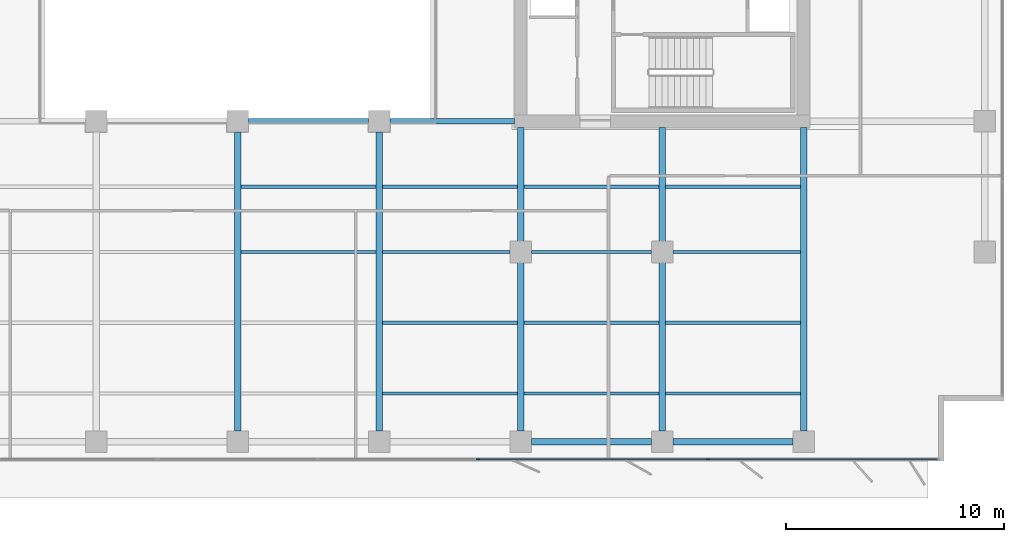
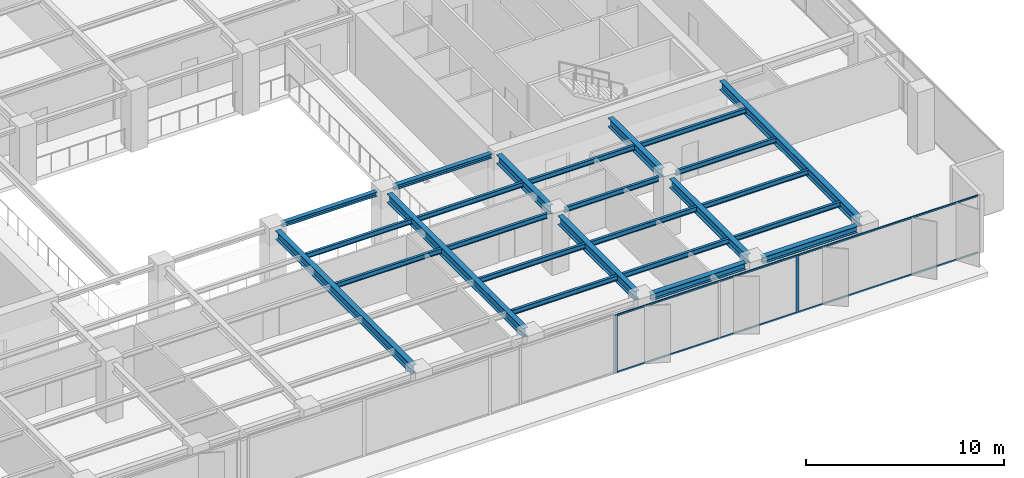
# One storey, part 6 of 22: 25 beams, 6 members, 1 element without a shape of its own.
"""IFC4 building model written with IfcOpenShell, lengths in metres."""

from ifc_helpers import new_model, si_unit, direction, frame, origin, origin_2d, place, context, subcontext, project, spatial, rectangle, i_section, extrude, material, layer, layer_set, material_profile, profile_set, type_object, element, aggregate, save


model = new_model("IFC4")

# Units and contexts
model_context = context("Model", 3, precision=1e-05, world=origin(), true_north=direction((0.0, 1.0)))
body_context = subcontext(model_context, "Body", "Model", "MODEL_VIEW")
ifc_project = project(units=[si_unit("LENGTHUNIT", "METRE"), si_unit("AREAUNIT", "SQUARE_METRE"), si_unit("VOLUMEUNIT", "CUBIC_METRE"), si_unit("PLANEANGLEUNIT", "RADIAN"), si_unit("MASSUNIT", "GRAM", prefix="KILO")], contexts=[model_context])

# Site, building, storey
site_placement = place(None, origin())
site = spatial("IfcSite", under=ifc_project, at=site_placement, CompositionType="ELEMENT")
building_placement = place(site_placement, origin())
building = spatial("IfcBuilding", under=site, at=building_placement, Name="Putna Gate Headquarters", CompositionType="ELEMENT")
storey_placement = place(building_placement, frame((0.0, 0.0, 144.199951171875)))
storey = spatial("IfcBuildingStorey", under=building, at=storey_placement, Name="L35", CompositionType="ELEMENT", Elevation=144.199951171875)

# Beams
ifc_material_1 = material(Name="Steel S355J2", Category="steel")
ifc_material_profile_1 = material_profile(ifc_material_1, i_section(OverallWidth=0.260009765625, OverallDepth=0.260009765625, WebThickness=0.010009765625, FlangeThickness=0.017578125, at=origin_2d()), Name="Steel S355J2")
ifc_profile_set_1 = profile_set([ifc_material_profile_1], Name="Steel S355J2")
beam_type_1 = type_object("IfcBeamType", Name="BM-ATRIUM-HEB260", PredefinedType="BEAM", material=ifc_profile_set_1)
beam_1_placement = place(storey_placement, frame((39.488037109375, 19.0, 3.442138671875), z_axis=(1.0, 0.0, 0.0), x_axis=(0.0, 1.0, 0.0)))
element("IfcBeam", 1, at=beam_1_placement, inside=storey, type_object=beam_type_1, Name="L35 Atrium Edge Beam AS3", PredefinedType="BEAM", context=body_context, shape_type="SweptSolid", body=[
    extrude(i_section(OverallWidth=0.260009765625, OverallDepth=0.260009765625, WebThickness=0.010009765625, FlangeThickness=0.017578125, at=origin_2d()), origin(), (0.0, 0.0, 1.0), 5.52392578125),
])
beam_2_placement = place(storey_placement, frame((45.988037109375, 19.0, 3.442138671875), z_axis=(1.0, 0.0, 0.0), x_axis=(0.0, 1.0, 0.0)))
element("IfcBeam", 2, at=beam_2_placement, inside=storey, type_object=beam_type_1, Name="L35 Atrium Edge Beam AS4", PredefinedType="BEAM", context=body_context, shape_type="SweptSolid", body=[
    extrude(i_section(OverallWidth=0.260009765625, OverallDepth=0.260009765625, WebThickness=0.010009765625, FlangeThickness=0.017578125, at=origin_2d()), origin(), (0.0, 0.0, 1.0), 5.72705078125),
])
ifc_material_profile_2 = material_profile(ifc_material_1, i_section(OverallWidth=0.300048828125, OverallDepth=0.550048828125, WebThickness=0.014892578125, FlangeThickness=0.029052734375, at=origin_2d()), Name="Steel S355J2")
ifc_profile_set_2 = profile_set([ifc_material_profile_2], Name="Steel S355J2")
beam_type_2 = type_object("IfcBeamType", Name="BM-GIRD-Z3-HEB550", PredefinedType="USERDEFINED", material=ifc_profile_set_2)
for number, where, z_axis, x_axis, name in (
    (3, (39.0, 4.76806640625, 3.297119140625), (0.0, 1.0, 0.0), (-1.0, 0.0, 0.0), "L35 South Primary Girder X39"),
    (4, (45.5, 4.76806640625, 3.297119140625), (0.0, 1.0, 0.0), (-1.0, 0.0, 0.0), "L35 South Primary Girder X45"),
):
    element("IfcBeam", number, at=place(storey_placement, frame(where, z_axis=z_axis, x_axis=x_axis)), inside=storey, type_object=beam_type_2, Name=name, ObjectType="GIRDER", PredefinedType="USERDEFINED", context=body_context, shape_type="SweptSolid", body=[
        extrude(i_section(OverallWidth=0.300048828125, OverallDepth=0.550048828125, WebThickness=0.014892578125, FlangeThickness=0.029052734375, at=origin_2d()), origin(), (0.0, 0.0, 1.0), 13.743896484375),
    ])
beam_3_placement = place(storey_placement, frame((52.0, 4.76806640625, 3.297119140625), z_axis=(0.0, 1.0, 0.0), x_axis=(-1.0, 0.0, 0.0)))
element("IfcBeam", 5, at=beam_3_placement, inside=storey, type_object=beam_type_2, Name="L35 South Primary Girder X52-1", ObjectType="GIRDER", PredefinedType="USERDEFINED", context=body_context, shape_type="SweptSolid", body=[
    extrude(i_section(OverallWidth=0.300048828125, OverallDepth=0.550048828125, WebThickness=0.014892578125, FlangeThickness=0.029052734375, at=origin_2d()), origin(), (0.0, 0.0, 1.0), 7.743896484375),
])
beam_4_placement = place(storey_placement, frame((52.0, 13.488037109375, 3.297119140625), z_axis=(0.0, 1.0, 0.0), x_axis=(-1.0, 0.0, 0.0)))
element("IfcBeam", 6, at=beam_4_placement, inside=storey, type_object=beam_type_2, Name="L35 South Primary Girder X52-2", ObjectType="GIRDER", PredefinedType="USERDEFINED", context=body_context, shape_type="SweptSolid", body=[
    extrude(i_section(OverallWidth=0.300048828125, OverallDepth=0.550048828125, WebThickness=0.014892578125, FlangeThickness=0.029052734375, at=origin_2d()), origin(), (0.0, 0.0, 1.0), 5.22705078125),
])
beam_5_placement = place(storey_placement, frame((58.5, 4.76806640625, 3.297119140625), z_axis=(0.0, 1.0, 0.0), x_axis=(-1.0, 0.0, 0.0)))
element("IfcBeam", 7, at=beam_5_placement, inside=storey, type_object=beam_type_2, Name="L35 South Primary Girder X58-1", ObjectType="GIRDER", PredefinedType="USERDEFINED", context=body_context, shape_type="SweptSolid", body=[
    extrude(i_section(OverallWidth=0.300048828125, OverallDepth=0.550048828125, WebThickness=0.014892578125, FlangeThickness=0.029052734375, at=origin_2d()), origin(), (0.0, 0.0, 1.0), 7.743896484375),
])
beam_6_placement = place(storey_placement, frame((58.5, 13.488037109375, 3.297119140625), z_axis=(0.0, 1.0, 0.0), x_axis=(-1.0, 0.0, 0.0)))
element("IfcBeam", 8, at=beam_6_placement, inside=storey, type_object=beam_type_2, Name="L35 South Primary Girder X58-2", ObjectType="GIRDER", PredefinedType="USERDEFINED", context=body_context, shape_type="SweptSolid", body=[
    extrude(i_section(OverallWidth=0.300048828125, OverallDepth=0.550048828125, WebThickness=0.014892578125, FlangeThickness=0.029052734375, at=origin_2d()), origin(), (0.0, 0.0, 1.0), 5.22705078125),
])
beam_7_placement = place(storey_placement, frame((65.0, 4.76806640625, 3.297119140625), z_axis=(0.0, 1.0, 0.0), x_axis=(-1.0, 0.0, 0.0)))
element("IfcBeam", 9, at=beam_7_placement, inside=storey, type_object=beam_type_2, Name="L35 South Primary Girder X65", ObjectType="GIRDER", PredefinedType="USERDEFINED", context=body_context, shape_type="SweptSolid", body=[
    extrude(i_section(OverallWidth=0.300048828125, OverallDepth=0.550048828125, WebThickness=0.014892578125, FlangeThickness=0.029052734375, at=origin_2d()), origin(), (0.0, 0.0, 1.0), 13.947021484375),
])
ifc_material_profile_3 = material_profile(ifc_material_1, i_section(OverallWidth=0.14990234375, OverallDepth=0.300048828125, WebThickness=0.007080078125, FlangeThickness=0.0107421875, at=origin_2d()), Name="Steel S355J2")
ifc_profile_set_3 = profile_set([ifc_material_profile_3], Name="Steel S355J2")
beam_type_3 = type_object("IfcBeamType", Name="BM-SEC-Z3-IPE300", PredefinedType="JOIST", material=ifc_profile_set_3)
for number, where, z_axis, x_axis, name in (
    (10, (39.154052734375, 13.0, 3.422119140625), (1.0, 0.0, 0.0), (0.0, 1.0, 0.0), "L35 South Secondary Beam 5"),
    (11, (39.154052734375, 16.0, 3.422119140625), (1.0, 0.0, 0.0), (0.0, 1.0, 0.0), "L35 South Secondary Beam 5"),
    (12, (45.654052734375, 6.5, 3.422119140625), (1.0, 0.0, 0.0), (0.0, 1.0, 0.0), "L35 South Secondary Beam 6"),
    (13, (45.654052734375, 9.75, 3.422119140625), (1.0, 0.0, 0.0), (0.0, 1.0, 0.0), "L35 South Secondary Beam 6"),
):
    element("IfcBeam", number, at=place(storey_placement, frame(where, z_axis=z_axis, x_axis=x_axis)), inside=storey, type_object=beam_type_3, Name=name, PredefinedType="JOIST", context=body_context, shape_type="SweptSolid", body=[
        extrude(i_section(OverallWidth=0.14990234375, OverallDepth=0.300048828125, WebThickness=0.007080078125, FlangeThickness=0.0107421875, at=origin_2d()), origin(), (0.0, 0.0, 1.0), 6.19189453125),
    ])
beam_8_placement = place(storey_placement, frame((45.654052734375, 13.0, 3.422119140625), z_axis=(1.0, 0.0, 0.0), x_axis=(0.0, 1.0, 0.0)))
element("IfcBeam", 14, at=beam_8_placement, inside=storey, type_object=beam_type_3, Name="L35 South Secondary Beam 6", PredefinedType="JOIST", context=body_context, shape_type="SweptSolid", body=[
    extrude(i_section(OverallWidth=0.14990234375, OverallDepth=0.300048828125, WebThickness=0.007080078125, FlangeThickness=0.0107421875, at=origin_2d()), origin(), (0.0, 0.0, 1.0), 5.85791015625),
])
for number, where, z_axis, x_axis, name in (
    (15, (45.654052734375, 16.0, 3.422119140625), (1.0, 0.0, 0.0), (0.0, 1.0, 0.0), "L35 South Secondary Beam 6"),
    (16, (52.154052734375, 6.5, 3.422119140625), (1.0, 0.0, 0.0), (0.0, 1.0, 0.0), "L35 South Secondary Beam 7"),
    (17, (52.154052734375, 9.75, 3.422119140625), (1.0, 0.0, 0.0), (0.0, 1.0, 0.0), "L35 South Secondary Beam 7"),
):
    element("IfcBeam", number, at=place(storey_placement, frame(where, z_axis=z_axis, x_axis=x_axis)), inside=storey, type_object=beam_type_3, Name=name, PredefinedType="JOIST", context=body_context, shape_type="SweptSolid", body=[
        extrude(i_section(OverallWidth=0.14990234375, OverallDepth=0.300048828125, WebThickness=0.007080078125, FlangeThickness=0.0107421875, at=origin_2d()), origin(), (0.0, 0.0, 1.0), 6.19189453125),
    ])
beam_9_placement = place(storey_placement, frame((52.488037109375, 13.0, 3.422119140625), z_axis=(1.0, 0.0, 0.0), x_axis=(0.0, 1.0, 0.0)))
element("IfcBeam", 18, at=beam_9_placement, inside=storey, type_object=beam_type_3, Name="L35 South Secondary Beam 7", PredefinedType="JOIST", context=body_context, shape_type="SweptSolid", body=[
    extrude(i_section(OverallWidth=0.14990234375, OverallDepth=0.300048828125, WebThickness=0.007080078125, FlangeThickness=0.0107421875, at=origin_2d()), origin(), (0.0, 0.0, 1.0), 5.52392578125),
])
for number, where, z_axis, x_axis, name in (
    (19, (52.154052734375, 16.0, 3.422119140625), (1.0, 0.0, 0.0), (0.0, 1.0, 0.0), "L35 South Secondary Beam 7"),
    (20, (58.654052734375, 6.5, 3.422119140625), (1.0, 0.0, 0.0), (0.0, 1.0, 0.0), "L35 South Secondary Beam 8"),
    (21, (58.654052734375, 9.75, 3.422119140625), (1.0, 0.0, 0.0), (0.0, 1.0, 0.0), "L35 South Secondary Beam 8"),
):
    element("IfcBeam", number, at=place(storey_placement, frame(where, z_axis=z_axis, x_axis=x_axis)), inside=storey, type_object=beam_type_3, Name=name, PredefinedType="JOIST", context=body_context, shape_type="SweptSolid", body=[
        extrude(i_section(OverallWidth=0.14990234375, OverallDepth=0.300048828125, WebThickness=0.007080078125, FlangeThickness=0.0107421875, at=origin_2d()), origin(), (0.0, 0.0, 1.0), 6.19189453125),
    ])
beam_10_placement = place(storey_placement, frame((58.988037109375, 13.0, 3.422119140625), z_axis=(1.0, 0.0, 0.0), x_axis=(0.0, 1.0, 0.0)))
element("IfcBeam", 22, at=beam_10_placement, inside=storey, type_object=beam_type_3, Name="L35 South Secondary Beam 8", PredefinedType="JOIST", context=body_context, shape_type="SweptSolid", body=[
    extrude(i_section(OverallWidth=0.14990234375, OverallDepth=0.300048828125, WebThickness=0.007080078125, FlangeThickness=0.0107421875, at=origin_2d()), origin(), (0.0, 0.0, 1.0), 5.85791015625),
])
beam_11_placement = place(storey_placement, frame((58.654052734375, 16.0, 3.422119140625), z_axis=(1.0, 0.0, 0.0), x_axis=(0.0, 1.0, 0.0)))
element("IfcBeam", 23, at=beam_11_placement, inside=storey, type_object=beam_type_3, Name="L35 South Secondary Beam 8", PredefinedType="JOIST", context=body_context, shape_type="SweptSolid", body=[
    extrude(i_section(OverallWidth=0.14990234375, OverallDepth=0.300048828125, WebThickness=0.007080078125, FlangeThickness=0.0107421875, at=origin_2d()), origin(), (0.0, 0.0, 1.0), 6.19189453125),
])
ifc_material_profile_4 = material_profile(ifc_material_1, i_section(OverallWidth=0.300048828125, OverallDepth=0.39990234375, WebThickness=0.013427734375, FlangeThickness=0.02392578125, at=origin_2d()), Name="Steel S355J2")
ifc_profile_set_4 = profile_set([ifc_material_profile_4], Name="Steel S355J2")
beam_type_4 = type_object("IfcBeamType", Name="BM-SPAN-Z3-HEB400", PredefinedType="SPANDREL", material=ifc_profile_set_4)
for number, where, z_axis, x_axis, name in (
    (24, (52.488037109375, 4.280029296875, 3.3720703125), (1.0, 0.0, 0.0), (0.0, 1.0, 0.0), "L35 S Perimeter Spandrel 7"),
    (25, (58.988037109375, 4.280029296875, 3.3720703125), (1.0, 0.0, 0.0), (0.0, 1.0, 0.0), "L35 S Perimeter Spandrel 8"),
):
    element("IfcBeam", number, at=place(storey_placement, frame(where, z_axis=z_axis, x_axis=x_axis)), inside=storey, type_object=beam_type_4, Name=name, PredefinedType="SPANDREL", context=body_context, shape_type="SweptSolid", body=[
        extrude(i_section(OverallWidth=0.300048828125, OverallDepth=0.39990234375, WebThickness=0.013427734375, FlangeThickness=0.02392578125, at=origin_2d()), origin(), (0.0, 0.0, 1.0), 5.52392578125),
    ])

# Curtain wall, members
ifc_material_2 = material(Name="Anodised bronze aluminium curtain wall", Category="aluminium")
ifc_layer = layer(ifc_material_2, 0.159912109375)
ifc_layer_set = layer_set([ifc_layer], Name="Anodised bronze aluminium curtain wall")
curtain_wall_type = type_object("IfcCurtainWallType", Name="CW-SYS-Z3", PredefinedType="USERDEFINED", material=ifc_layer_set)
curtain_wall_placement = place(storey_placement, origin())
curtain_wall = element("IfcCurtainWall", 26, at=curtain_wall_placement, inside=storey, type_object=curtain_wall_type, Name="L35 South East Curtain Wall", ObjectType="STICK CURTAIN WALL", PredefinedType="USERDEFINED")
ifc_material_3 = material(Name="Anodised bronze aluminium EN AW-6060", Category="aluminium")
ifc_material_profile_5 = material_profile(ifc_material_3, rectangle(XDim=0.06494140625, YDim=0.159912109375, at=origin_2d()), Name="Anodised bronze aluminium EN AW-6060")
ifc_profile_set_5 = profile_set([ifc_material_profile_5], Name="Anodised bronze aluminium EN AW-6060")
member_type_1 = type_object("IfcMemberType", Name="MULL-CWM-3", PredefinedType="MULLION", material=ifc_profile_set_5)
member_1_placement = place(storey_placement, frame((50.032470703125, 3.47998046875, 0.0), z_axis=(0.0, 0.0, 1.0), x_axis=(0.0, 1.0, 0.0)))
member_1 = element("IfcMember", 27, at=member_1_placement, type_object=member_type_1, Name="CWS-3 mullion 1", PredefinedType="MULLION", context=body_context, shape_type="SweptSolid", body=[
    extrude(rectangle(XDim=0.06494140625, YDim=0.159912109375, at=origin_2d()), origin(), (0.0, 0.0, 1.0), 3.572021484375),
])
member_2_placement = place(storey_placement, frame((60.60009765625, 3.47998046875, 0.0), z_axis=(0.0, 0.0, 1.0), x_axis=(0.0, 1.0, 0.0)))
member_2 = element("IfcMember", 28, at=member_2_placement, type_object=member_type_1, Name="CWS-3 mullion 2", PredefinedType="MULLION", context=body_context, shape_type="SweptSolid", body=[
    extrude(rectangle(XDim=0.06494140625, YDim=0.159912109375, at=origin_2d()), origin(), (0.0, 0.0, 1.0), 3.572021484375),
])
ifc_material_profile_6 = material_profile(ifc_material_3, rectangle(XDim=0.06005859375, YDim=0.10009765625, at=origin_2d()), Name="Anodised bronze aluminium EN AW-6060")
ifc_profile_set_6 = profile_set([ifc_material_profile_6], Name="Anodised bronze aluminium EN AW-6060")
member_type_2 = type_object("IfcMemberType", Name="TRAN-CWT-3", PredefinedType="USERDEFINED", material=ifc_profile_set_6)
member_3_placement = place(storey_placement, frame((50.06494140625, 3.47998046875, 0.030029296875), z_axis=(1.0, 0.0, 0.0), x_axis=(0.0, 1.0, 0.0)))
member_3 = element("IfcMember", 29, at=member_3_placement, type_object=member_type_2, Name="CWS-3 transom 1.1", ObjectType="TRANSOM", PredefinedType="USERDEFINED", context=body_context, shape_type="SweptSolid", body=[
    extrude(rectangle(XDim=0.06005859375, YDim=0.10009765625, at=origin_2d()), origin(), (0.0, 0.0, 1.0), 10.50244140625),
])
member_4_placement = place(storey_placement, frame((50.06494140625, 3.47998046875, 3.5419921875), z_axis=(1.0, 0.0, 0.0), x_axis=(0.0, 1.0, 0.0)))
member_4 = element("IfcMember", 30, at=member_4_placement, type_object=member_type_2, Name="CWS-3 transom 1.2", ObjectType="TRANSOM", PredefinedType="USERDEFINED", context=body_context, shape_type="SweptSolid", body=[
    extrude(rectangle(XDim=0.06005859375, YDim=0.10009765625, at=origin_2d()), origin(), (0.0, 0.0, 1.0), 10.50244140625),
])
member_5_placement = place(storey_placement, frame((60.632568359375, 3.47998046875, 0.030029296875), z_axis=(1.0, 0.0, 0.0), x_axis=(0.0, 1.0, 0.0)))
member_5 = element("IfcMember", 31, at=member_5_placement, type_object=member_type_2, Name="CWS-3 transom 2.1", ObjectType="TRANSOM", PredefinedType="USERDEFINED", context=body_context, shape_type="SweptSolid", body=[
    extrude(rectangle(XDim=0.06005859375, YDim=0.10009765625, at=origin_2d()), origin(), (0.0, 0.0, 1.0), 10.50244140625),
])
member_6_placement = place(storey_placement, frame((60.632568359375, 3.47998046875, 3.5419921875), z_axis=(1.0, 0.0, 0.0), x_axis=(0.0, 1.0, 0.0)))
member_6 = element("IfcMember", 32, at=member_6_placement, type_object=member_type_2, Name="CWS-3 transom 2.2", ObjectType="TRANSOM", PredefinedType="USERDEFINED", context=body_context, shape_type="SweptSolid", body=[
    extrude(rectangle(XDim=0.06005859375, YDim=0.10009765625, at=origin_2d()), origin(), (0.0, 0.0, 1.0), 10.50244140625),
])
aggregate(curtain_wall, [member_1, member_2, member_3, member_4, member_5, member_6])

save(model, "model.ifc")
